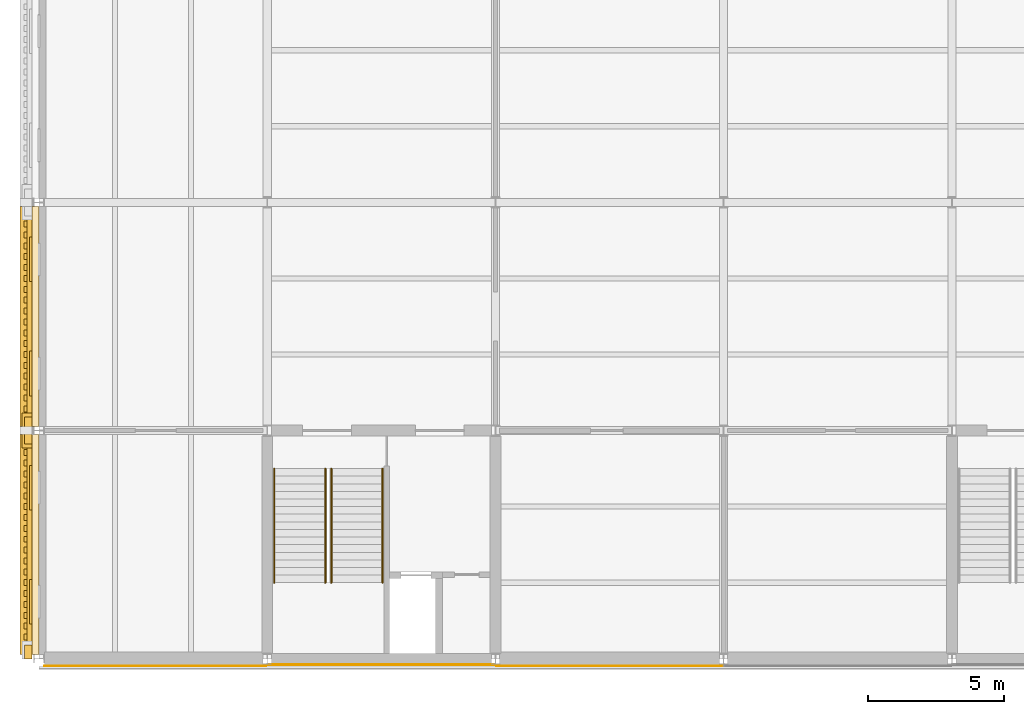
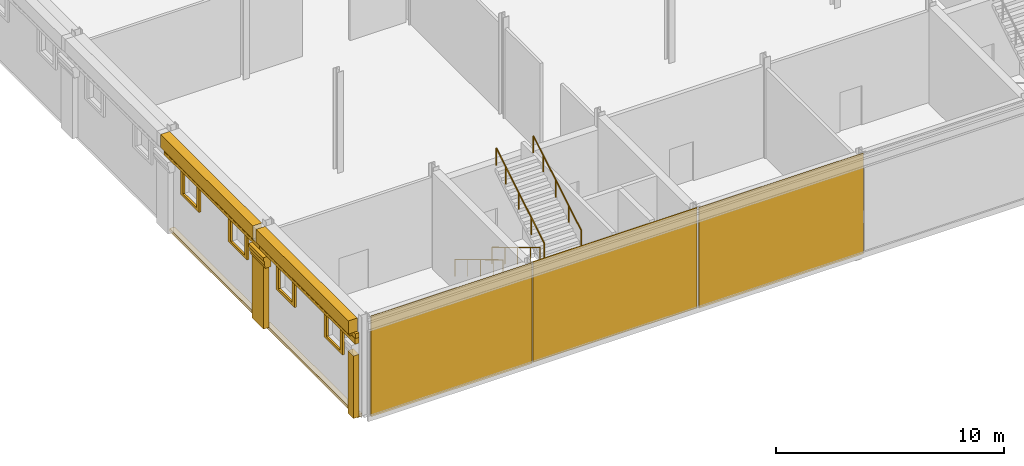
# One storey, part 38 of 57: 18 coverings, 4 railings.
"""IFC4 building model written with IfcOpenShell, lengths in metres."""

import ifcopenshell
import ifcopenshell.guid

model = None  # the IFC model being written
_history = None  # IfcOwnerHistory: only IFC2X3 demands one
_inside = {}  # id of a spatial element -> (the spatial element, [elements in it])
_under = {}  # id of a project, library or spatial element -> (it, [spatial elements below it])
_declared = {}  # id of a project -> (the project, [libraries it declares])
_typed = {}  # id of a type object -> (the type object, [elements of that type])
_made_of = {}  # id of a material, layer set ... -> (it, [elements and type objects made of it])


def new_model(schema):
    """Start an empty IFC model of exactly this schema.

    Asked for "IFC4X3", IfcOpenShell would pick the latest addendum, in which some entities
    have other attributes; the version numbers below select the first issue.
    IFC2X3 requires an IfcOwnerHistory on every rooted entity: one is made here for all.
    """
    global model, _history
    if schema == "IFC4X3":
        model = ifcopenshell.file(schema_version=(4, 3, 0, 0))
    else:
        model = ifcopenshell.file(schema=schema)
    _inside.clear()
    _under.clear()
    _declared.clear()
    _typed.clear()
    _made_of.clear()
    _history = None
    if model.schema == "IFC2X3":
        org = make("IfcOrganization", Name="unknown")
        user = make(
            "IfcPersonAndOrganization",
            ThePerson=make("IfcPerson", FamilyName="unknown"),
            TheOrganization=org,
        )
        app = make(
            "IfcApplication",
            ApplicationDeveloper=org,
            Version="unknown",
            ApplicationFullName="unknown",
            ApplicationIdentifier="unknown",
        )
        _history = make(
            "IfcOwnerHistory",
            OwningUser=user,
            OwningApplication=app,
            ChangeAction="ADDED",
            CreationDate=0,
        )
    return model


def make(cls, **values):
    """One entity of the class cls with the attributes given. An attribute that is None is left unset."""
    return model.create_entity(
        cls, **{name: value for name, value in values.items() if value is not None}
    )


def rooted(cls, **values):
    """An entity with a GlobalId (a new one), such as an element, a storey or a relation."""
    return make(cls, GlobalId=ifcopenshell.guid.new(), OwnerHistory=_history, **values)


def si_unit(unit_type, name, prefix=None):
    """IfcSIUnit, for example si_unit("LENGTHUNIT", "METRE", prefix="MILLI")."""
    return make("IfcSIUnit", UnitType=unit_type, Prefix=prefix, Name=name)


def assignment(units):
    """IfcUnitAssignment: the units of a project."""
    return None if units is None else make("IfcUnitAssignment", Units=units)


def point(xyz):
    """IfcCartesianPoint."""
    return None if xyz is None else make("IfcCartesianPoint", Coordinates=xyz)


def direction(xyz):
    """IfcDirection."""
    return None if xyz is None else make("IfcDirection", DirectionRatios=xyz)


def frame(location, z_axis=None, x_axis=None):
    """IfcAxis2Placement3D, a coordinate frame: its origin and axes. An axis left out is left unset."""
    return make(
        "IfcAxis2Placement3D",
        Location=point(location),
        Axis=direction(z_axis),
        RefDirection=direction(x_axis),
    )


def frame_2d(location, x_axis=None):
    """IfcAxis2Placement2D, a coordinate frame in the plane: its origin and x axis."""
    return make(
        "IfcAxis2Placement2D", Location=point(location), RefDirection=direction(x_axis)
    )


def origin():
    """The frame at (0, 0, 0) with its axes left unset."""
    return frame((0.0, 0.0, 0.0))


def origin_2d():
    """The frame at (0, 0) in the plane with its x axis left unset."""
    return frame_2d((0.0, 0.0))


def place(relative_to, where):
    """IfcLocalPlacement: puts the frame where relative to a parent placement (None: the world)."""
    return make(
        "IfcLocalPlacement", PlacementRelTo=relative_to, RelativePlacement=where
    )


def context(
    kind, dimensions, precision=None, world=None, true_north=None, identifier=None
):
    """IfcGeometricRepresentationContext, for example the 3D "Model" context."""
    return make(
        "IfcGeometricRepresentationContext",
        ContextIdentifier=identifier,
        ContextType=kind,
        CoordinateSpaceDimension=dimensions,
        Precision=precision,
        WorldCoordinateSystem=world,
        TrueNorth=true_north,
    )


def subcontext(parent, identifier, kind, view, scale=None):
    """IfcGeometricRepresentationSubContext, for example "Body" below "Model"."""
    return make(
        "IfcGeometricRepresentationSubContext",
        ContextIdentifier=identifier,
        ContextType=kind,
        ParentContext=parent,
        TargetScale=scale,
        TargetView=view,
    )


def project(units=None, contexts=None):
    """IfcProject with its units and contexts."""
    return rooted(
        "IfcProject",
        Name="project",
        RepresentationContexts=contexts,
        UnitsInContext=assignment(units),
    )


def spatial(cls, under=None, at=None, **own):
    """A site, building, storey or space (cls), placed at a placement, below another one or the project."""
    s = rooted(cls, ObjectPlacement=at, **own)
    if under is not None:
        _under.setdefault(under.id(), (under, []))[1].append(s)
    return s


def polyline(points):
    """IfcPolyline through the points."""
    return make("IfcPolyline", Points=[point(p) for p in points])


def profile(cls, at=None, kind="AREA", **sizes):
    """A parametric profile (cls). Its sizes go by their IFC names, for example OverallWidth=200.0."""
    return make(cls, ProfileType=kind, Position=at, **sizes)


def rectangle(**sizes):
    """IfcRectangleProfileDef."""
    return profile("IfcRectangleProfileDef", **sizes)


def circle(**sizes):
    """IfcCircleProfileDef."""
    return profile("IfcCircleProfileDef", **sizes)


def outline(outer, holes=None, kind="AREA"):
    """IfcArbitraryClosedProfileDef: a profile drawn as a closed curve; with holes, ...WithVoids."""
    if holes is None:
        return make("IfcArbitraryClosedProfileDef", ProfileType=kind, OuterCurve=outer)
    return make(
        "IfcArbitraryProfileDefWithVoids",
        ProfileType=kind,
        OuterCurve=outer,
        InnerCurves=holes,
    )


def extrude(swept, where, along, depth):
    """IfcExtrudedAreaSolid: the profile swept, set in the frame where, extruded along a direction by depth."""
    return make(
        "IfcExtrudedAreaSolid",
        SweptArea=swept,
        Position=where,
        ExtrudedDirection=direction(along),
        Depth=depth,
    )


def shape(context_of_items, identifier, shape_type, items):
    """IfcShapeRepresentation: the items that make up one representation, for example the "Body"."""
    return make(
        "IfcShapeRepresentation",
        ContextOfItems=context_of_items,
        RepresentationIdentifier=identifier,
        RepresentationType=shape_type,
        Items=items,
    )


def material(Name=None, Category=None):
    """IfcMaterial."""
    return make("IfcMaterial", Name=Name, Category=Category)


def layer(
    of_material, thickness, ventilated=None, Name=None, Category=None, Priority=None
):
    """IfcMaterialLayer: one layer of a wall or slab, of a material (None: an air gap)."""
    return make(
        "IfcMaterialLayer",
        Material=of_material,
        LayerThickness=thickness,
        IsVentilated=ventilated,
        Name=Name,
        Category=Category,
        Priority=Priority,
    )


def layer_set(layers, Name=None):
    """IfcMaterialLayerSet."""
    return make("IfcMaterialLayerSet", MaterialLayers=layers, LayerSetName=Name)


def made_of(thing, what):
    """Note that an element or type object is made of a material, layer set ...; save() writes the relation."""
    if what is not None:
        _made_of.setdefault(what.id(), (what, []))[1].append(thing)
    return thing


def type_object(cls, material=None, **own):
    """A type object (cls), such as IfcWallType, which elements share."""
    return made_of(rooted(cls, **own), material)


def element(
    cls,
    number,
    at=None,
    inside=None,
    cuts=None,
    type_object=None,
    material=None,
    context=None,
    identifier="Body",
    shape_type=None,
    held_by="IfcProductDefinitionShape",
    body=None,
    shapes=None,
    **own,
):
    """One element of the class cls, such as IfcWall. Its Tag is "e" and its number.

    at: its placement. inside: the storey or other place that contains it. cuts: it is an
    opening in that element (IfcRelVoidsElement). A single representation is given by context,
    identifier, shape_type and body (its items); several are given by shapes. held_by: the class
    of the entity that holds the representations. save() writes the other relations.
    """
    e = rooted(cls, Tag="e%d" % number, ObjectPlacement=at, **own)
    if body is not None:
        shapes = [shape(context, identifier, shape_type, body)]
    if shapes is not None:
        e.Representation = make(held_by, Representations=shapes)
    if inside is not None:
        _inside.setdefault(inside.id(), (inside, []))[1].append(e)
    if cuts is not None:
        rooted(
            "IfcRelVoidsElement", RelatingBuildingElement=cuts, RelatedOpeningElement=e
        )
    if type_object is not None:
        _typed.setdefault(type_object.id(), (type_object, []))[1].append(e)
    return made_of(e, material)


def aggregate(whole, parts):
    """IfcRelAggregates: a whole, such as a stair, and the parts it consists of."""
    return rooted("IfcRelAggregates", RelatingObject=whole, RelatedObjects=parts)


def save(model, path):
    """Write the relations noted so far, then the file.

    IfcRelAggregates (storeys below a building ...), IfcRelContainedInSpatialStructure (elements
    in a storey), IfcRelDefinesByType, IfcRelAssociatesMaterial and IfcRelDeclares: one each for
    every whole, place, type object, material and project.
    """
    for whole, parts in _under.values():
        aggregate(whole, parts)
    for where, things in _inside.values():
        rooted(
            "IfcRelContainedInSpatialStructure",
            RelatedElements=things,
            RelatingStructure=where,
        )
    for kind, things in _typed.values():
        rooted("IfcRelDefinesByType", RelatedObjects=things, RelatingType=kind)
    for what, things in _made_of.values():
        rooted("IfcRelAssociatesMaterial", RelatedObjects=things, RelatingMaterial=what)
    for by, libraries in _declared.values():
        rooted("IfcRelDeclares", RelatingContext=by, RelatedDefinitions=libraries)
    model.write(path)


model = new_model("IFC4")

# Units and contexts
model_context = context("Model", 3, precision=1e-05, world=origin(), true_north=direction((0.0, 1.0)))
body_context = subcontext(model_context, "Body", "Model", "MODEL_VIEW")
ifc_project = project(units=[si_unit("LENGTHUNIT", "METRE"), si_unit("AREAUNIT", "SQUARE_METRE"), si_unit("VOLUMEUNIT", "CUBIC_METRE"), si_unit("PLANEANGLEUNIT", "RADIAN"), si_unit("MASSUNIT", "GRAM", prefix="KILO")], contexts=[model_context])

# Site, building, storey
site_placement = place(None, origin())
site = spatial("IfcSite", under=ifc_project, at=site_placement, CompositionType="ELEMENT")
building_placement = place(site_placement, origin())
building = spatial("IfcBuilding", under=site, at=building_placement, Name="Galleria Vessillo Department Store", CompositionType="ELEMENT")
storey_placement = place(building_placement, frame((0.0, 0.0, 25.800048828125)))
storey = spatial("IfcBuildingStorey", under=building, at=storey_placement, Name="L05", CompositionType="ELEMENT", Elevation=25.800048828125)

# Coverings
ifc_material_1 = material(Name="Lime plaster (intonaco) ochre")
ifc_layer_1 = layer(ifc_material_1, 0.030029296875)
ifc_layer_set_1 = layer_set([ifc_layer_1], Name="Lime plaster (intonaco) ochre")
covering_type_1 = type_object("IfcCoveringType", Name="Lime plaster render 30 mm", PredefinedType="CLADDING", material=ifc_layer_set_1)
covering_1_placement = place(storey_placement, frame((4.284912109375, -0.264892578125, 0.0), z_axis=(0.0, 0.0, 1.0), x_axis=(1.0, 0.0, 0.0)))
element("IfcCovering", 1, at=covering_1_placement, inside=storey, type_object=covering_type_1, Name="Wall cladding S-PS-L05-01", PredefinedType="CLADDING", context=body_context, shape_type="SweptSolid", body=[
    extrude(rectangle(XDim=8.170166015625, YDim=0.030029296875, at=origin_2d()), origin(), (0.0, 0.0, 1.0), 5.39990234375),
])
for number, where, z_axis, x_axis, name in (
    (2, (12.599853515625, -0.215087890625, 0.0), (0.0, 0.0, 1.0), (1.0, 0.0, 0.0), "Wall cladding S-CW-PC-SW-PARTY-L05"),
    (3, (21.0, -0.264892578125, 0.0), (0.0, 0.0, 1.0), (1.0, 0.0, 0.0), "Wall cladding S-PS-L05-02"),
):
    element("IfcCovering", number, at=place(storey_placement, frame(where, z_axis=z_axis, x_axis=x_axis)), inside=storey, type_object=covering_type_1, Name=name, PredefinedType="CLADDING", context=body_context, shape_type="SweptSolid", body=[
        extrude(rectangle(XDim=8.340087890625, YDim=0.030029296875, at=origin_2d()), origin(), (0.0, 0.0, 1.0), 5.39990234375),
    ])
ifc_material_2 = material(Name="Botticino limestone ashlar", Category="masonry")
ifc_layer_2 = layer(ifc_material_2, 0.199951171875)
ifc_layer_set_2 = layer_set([ifc_layer_2], Name="Botticino limestone ashlar")
covering_type_2 = type_object("IfcCoveringType", Name="Limestone architrave band 200 x 300", PredefinedType="MOLDING", material=ifc_layer_set_2)
covering_2_placement = place(storey_placement, frame((-0.35009765625, 4.199951171875, 3.94970703125), z_axis=(0.0, 0.0, 1.0), x_axis=(1.0, 0.0, 0.0)))
element("IfcCovering", 4, at=covering_2_placement, inside=storey, type_object=covering_type_2, Name="Architrave band W y=0.0-8.4", PredefinedType="MOLDING", context=body_context, shape_type="SweptSolid", body=[
    extrude(rectangle(XDim=0.199951171875, YDim=8.39990234375, at=origin_2d()), origin(), (0.0, 0.0, 1.0), 0.300048828125),
])
covering_3_placement = place(storey_placement, frame((-0.35009765625, 12.599853515625, 3.94970703125), z_axis=(0.0, 0.0, 1.0), x_axis=(1.0, 0.0, 0.0)))
element("IfcCovering", 5, at=covering_3_placement, inside=storey, type_object=covering_type_2, Name="Architrave band W y=8.4-16.8", PredefinedType="MOLDING", context=body_context, shape_type="SweptSolid", body=[
    extrude(rectangle(XDim=0.199951171875, YDim=8.400146484375, at=origin_2d()), origin(), (0.0, 0.0, 1.0), 0.300048828125),
])
ifc_material_3 = material(Name="Botticino limestone ashlar", Category="masonry")
ifc_layer_3 = layer(ifc_material_3, 0.449951171875)
ifc_layer_set_3 = layer_set([ifc_layer_3], Name="Botticino limestone ashlar")
covering_type_3 = type_object("IfcCoveringType", Name="Limestone cornice 450 x 700", PredefinedType="MOLDING", material=ifc_layer_set_3)
covering_4_placement = place(storey_placement, frame((-0.47509765625, 4.199951171875, 4.5), z_axis=(0.0, 0.0, 1.0), x_axis=(1.0, 0.0, 0.0)))
element("IfcCovering", 6, at=covering_4_placement, inside=storey, type_object=covering_type_3, Name="Cornice SW-L05-01", PredefinedType="MOLDING", context=body_context, shape_type="SweptSolid", body=[
    extrude(rectangle(XDim=0.449951171875, YDim=8.099853515625, at=origin_2d()), origin(), (0.0, 0.0, 1.0), 0.699951171875),
])
covering_5_placement = place(storey_placement, frame((-0.47509765625, 12.60009765625, 4.5), z_axis=(0.0, 0.0, 1.0), x_axis=(1.0, 0.0, 0.0)))
element("IfcCovering", 7, at=covering_5_placement, inside=storey, type_object=covering_type_3, Name="Cornice SW-L05-02", PredefinedType="MOLDING", context=body_context, shape_type="SweptSolid", body=[
    extrude(rectangle(XDim=0.449951171875, YDim=8.10009765625, at=origin_2d()), origin(), (0.0, 0.0, 1.0), 0.699951171875),
])
ifc_material_4 = material(Name="Botticino limestone ashlar", Category="masonry")
ifc_layer_4 = layer(ifc_material_4, 0.300048828125)
ifc_layer_set_4 = layer_set([ifc_layer_4], Name="Botticino limestone ashlar")
covering_type_4 = type_object("IfcCoveringType", Name="Limestone dentil course 300 x 250", PredefinedType="MOLDING", material=ifc_layer_set_4)
covering_6_placement = place(storey_placement, frame((0.0, 0.0, 4.25)))
element("IfcCovering", 8, at=covering_6_placement, inside=storey, type_object=covering_type_4, Name="Dentil course W y=0.0-8.4", PredefinedType="MOLDING", context=body_context, shape_type="SweptSolid", body=[
    extrude(outline(polyline([(-0.25, 0.0), (-0.429931640625, 0.0), (-0.429931640625, 0.2900390625), (-0.550048828125, 0.2900390625), (-0.550048828125, 0.510009765625), (-0.429931640625, 0.510009765625), (-0.429931640625, 0.68994140625), (-0.550048828125, 0.68994140625), (-0.550048828125, 0.909912109375), (-0.429931640625, 0.909912109375), (-0.429931640625, 1.090087890625), (-0.550048828125, 1.090087890625), (-0.550048828125, 1.31005859375), (-0.429931640625, 1.31005859375), (-0.429931640625, 1.489990234375), (-0.550048828125, 1.489990234375), (-0.550048828125, 1.7099609375), (-0.429931640625, 1.7099609375), (-0.429931640625, 1.889892578125), (-0.550048828125, 1.889892578125), (-0.550048828125, 2.110107421875), (-0.429931640625, 2.110107421875), (-0.429931640625, 2.2900390625), (-0.550048828125, 2.2900390625), (-0.550048828125, 2.510009765625), (-0.429931640625, 2.510009765625), (-0.429931640625, 2.68994140625), (-0.550048828125, 2.68994140625), (-0.550048828125, 2.909912109375), (-0.429931640625, 2.909912109375), (-0.429931640625, 3.090087890625), (-0.550048828125, 3.090087890625), (-0.550048828125, 3.31005859375), (-0.429931640625, 3.31005859375), (-0.429931640625, 3.489990234375), (-0.550048828125, 3.489990234375), (-0.550048828125, 3.7099609375), (-0.429931640625, 3.7099609375), (-0.429931640625, 3.889892578125), (-0.550048828125, 3.889892578125), (-0.550048828125, 4.110107421875), (-0.429931640625, 4.110107421875), (-0.429931640625, 4.2900390625), (-0.550048828125, 4.2900390625), (-0.550048828125, 4.510009765625), (-0.429931640625, 4.510009765625), (-0.429931640625, 4.68994140625), (-0.550048828125, 4.68994140625), (-0.550048828125, 4.909912109375), (-0.429931640625, 4.909912109375), (-0.429931640625, 5.090087890625), (-0.550048828125, 5.090087890625), (-0.550048828125, 5.31005859375), (-0.429931640625, 5.31005859375), (-0.429931640625, 5.489990234375), (-0.550048828125, 5.489990234375), (-0.550048828125, 5.7099609375), (-0.429931640625, 5.7099609375), (-0.429931640625, 5.889892578125), (-0.550048828125, 5.889892578125), (-0.550048828125, 6.110107421875), (-0.429931640625, 6.110107421875), (-0.429931640625, 6.2900390625), (-0.550048828125, 6.2900390625), (-0.550048828125, 6.510009765625), (-0.429931640625, 6.510009765625), (-0.429931640625, 6.68994140625), (-0.550048828125, 6.68994140625), (-0.550048828125, 6.909912109375), (-0.429931640625, 6.909912109375), (-0.429931640625, 7.090087890625), (-0.550048828125, 7.090087890625), (-0.550048828125, 7.31005859375), (-0.429931640625, 7.31005859375), (-0.429931640625, 7.489990234375), (-0.550048828125, 7.489990234375), (-0.550048828125, 7.7099609375), (-0.429931640625, 7.7099609375), (-0.429931640625, 7.889892578125), (-0.550048828125, 7.889892578125), (-0.550048828125, 8.110107421875), (-0.429931640625, 8.110107421875), (-0.429931640625, 8.39990234375), (-0.25, 8.39990234375), (-0.25, 0.0)])), origin(), (0.0, 0.0, 1.0), 0.25),
])
covering_7_placement = place(storey_placement, frame((0.0, 0.0, 4.25)))
element("IfcCovering", 9, at=covering_7_placement, inside=storey, type_object=covering_type_4, Name="Dentil course W y=8.4-16.8", PredefinedType="MOLDING", context=body_context, shape_type="SweptSolid", body=[
    extrude(outline(polyline([(-0.25, 8.39990234375), (-0.429931640625, 8.39990234375), (-0.429931640625, 8.68994140625), (-0.550048828125, 8.68994140625), (-0.550048828125, 8.909912109375), (-0.429931640625, 8.909912109375), (-0.429931640625, 9.08984375), (-0.550048828125, 9.08984375), (-0.550048828125, 9.31005859375), (-0.429931640625, 9.31005859375), (-0.429931640625, 9.489990234375), (-0.550048828125, 9.489990234375), (-0.550048828125, 9.7099609375), (-0.429931640625, 9.7099609375), (-0.429931640625, 9.889892578125), (-0.550048828125, 9.889892578125), (-0.550048828125, 10.10986328125), (-0.429931640625, 10.10986328125), (-0.429931640625, 10.289794921875), (-0.550048828125, 10.289794921875), (-0.550048828125, 10.510009765625), (-0.429931640625, 10.510009765625), (-0.429931640625, 10.68994140625), (-0.550048828125, 10.68994140625), (-0.550048828125, 10.909912109375), (-0.429931640625, 10.909912109375), (-0.429931640625, 11.08984375), (-0.550048828125, 11.08984375), (-0.550048828125, 11.31005859375), (-0.429931640625, 11.31005859375), (-0.429931640625, 11.489990234375), (-0.550048828125, 11.489990234375), (-0.550048828125, 11.7099609375), (-0.429931640625, 11.7099609375), (-0.429931640625, 11.889892578125), (-0.550048828125, 11.889892578125), (-0.550048828125, 12.10986328125), (-0.429931640625, 12.10986328125), (-0.429931640625, 12.289794921875), (-0.550048828125, 12.289794921875), (-0.550048828125, 12.510009765625), (-0.429931640625, 12.510009765625), (-0.429931640625, 12.68994140625), (-0.550048828125, 12.68994140625), (-0.550048828125, 12.909912109375), (-0.429931640625, 12.909912109375), (-0.429931640625, 13.08984375), (-0.550048828125, 13.08984375), (-0.550048828125, 13.31005859375), (-0.429931640625, 13.31005859375), (-0.429931640625, 13.489990234375), (-0.550048828125, 13.489990234375), (-0.550048828125, 13.7099609375), (-0.429931640625, 13.7099609375), (-0.429931640625, 13.889892578125), (-0.550048828125, 13.889892578125), (-0.550048828125, 14.10986328125), (-0.429931640625, 14.10986328125), (-0.429931640625, 14.2900390625), (-0.550048828125, 14.2900390625), (-0.550048828125, 14.510009765625), (-0.429931640625, 14.510009765625), (-0.429931640625, 14.68994140625), (-0.550048828125, 14.68994140625), (-0.550048828125, 14.909912109375), (-0.429931640625, 14.909912109375), (-0.429931640625, 15.08984375), (-0.550048828125, 15.08984375), (-0.550048828125, 15.31005859375), (-0.429931640625, 15.31005859375), (-0.429931640625, 15.489990234375), (-0.550048828125, 15.489990234375), (-0.550048828125, 15.7099609375), (-0.429931640625, 15.7099609375), (-0.429931640625, 15.889892578125), (-0.550048828125, 15.889892578125), (-0.550048828125, 16.10986328125), (-0.429931640625, 16.10986328125), (-0.429931640625, 16.2900390625), (-0.550048828125, 16.2900390625), (-0.550048828125, 16.510009765625), (-0.429931640625, 16.510009765625), (-0.429931640625, 16.800048828125), (-0.25, 16.800048828125), (-0.25, 8.39990234375)])), origin(), (0.0, 0.0, 1.0), 0.25),
])
ifc_material_5 = material(Name="Botticino limestone ashlar", Category="masonry")
ifc_layer_5 = layer(ifc_material_5, 0.280029296875)
ifc_layer_set_5 = layer_set([ifc_layer_5], Name="Botticino limestone ashlar")
covering_type_5 = type_object("IfcCoveringType", Name="Limestone giant pilaster 1000 x 280", PredefinedType="CLADDING", material=ifc_layer_set_5)
covering_8_placement = place(storey_placement, frame((-0.389892578125, 0.25, 0.0), z_axis=(0.0, 0.0, 1.0), x_axis=(1.0, 0.0, 0.0)))
element("IfcCovering", 10, at=covering_8_placement, inside=storey, type_object=covering_type_5, Name="Giant pilaster W L05 y=0.0", PredefinedType="CLADDING", context=body_context, shape_type="SweptSolid", body=[
    extrude(rectangle(XDim=0.280029296875, YDim=0.5, at=origin_2d()), origin(), (0.0, 0.0, 1.0), 3.35009765625),
])
covering_9_placement = place(storey_placement, frame((-0.389892578125, 8.39990234375, 0.0), z_axis=(0.0, 0.0, 1.0), x_axis=(1.0, 0.0, 0.0)))
element("IfcCovering", 11, at=covering_9_placement, inside=storey, type_object=covering_type_5, Name="Giant pilaster W L05 y=8.4", PredefinedType="CLADDING", context=body_context, shape_type="SweptSolid", body=[
    extrude(rectangle(XDim=0.280029296875, YDim=1.0, at=origin_2d()), origin(), (0.0, 0.0, 1.0), 3.35009765625),
])
ifc_material_6 = material(Name="Botticino limestone ashlar", Category="masonry")
ifc_layer_6 = layer(ifc_material_6, 0.3798828125)
ifc_layer_set_6 = layer_set([ifc_layer_6], Name="Botticino limestone ashlar")
covering_type_6 = type_object("IfcCoveringType", Name="Limestone pilaster capital 1300 x 380 x 600", PredefinedType="MOLDING", material=ifc_layer_set_6)
covering_10_placement = place(storey_placement, frame((0.0, 7.75, 3.349853515625), z_axis=(0.0, 1.0, 0.0), x_axis=(-1.0, 0.0, 0.0)))
element("IfcCovering", 12, at=covering_10_placement, inside=storey, type_object=covering_type_6, Name="Pilaster capital W y=8.4", PredefinedType="MOLDING", context=body_context, shape_type="SweptSolid", body=[
    extrude(outline(polyline([(0.25, 0.0), (0.530029296875, 0.0), (0.530029296875, 0.10009765625), (0.580078125, 0.179931640625), (0.580078125, 0.3798828125), (0.6298828125, 0.419921875), (0.6298828125, 0.60009765625), (0.25, 0.60009765625), (0.25, 0.0)])), origin(), (0.0, 0.0, 1.0), 1.300048828125),
])
ifc_material_7 = material(Name="Botticino limestone ashlar", Category="masonry")
ifc_layer_7 = layer(ifc_material_7, 0.14990234375)
ifc_layer_set_7 = layer_set([ifc_layer_7], Name="Botticino limestone ashlar")
covering_type_7 = type_object("IfcCoveringType", Name="Limestone slab-edge fascia 150 mm", PredefinedType="CLADDING", material=ifc_layer_set_7)
covering_11_placement = place(storey_placement, frame((-0.125, 4.199951171875, -0.14990234375), z_axis=(0.0, 0.0, 1.0), x_axis=(1.0, 0.0, 0.0)))
element("IfcCovering", 13, at=covering_11_placement, inside=storey, type_object=covering_type_7, Name="Slab-edge fascia SW-L04-01", PredefinedType="CLADDING", context=body_context, shape_type="SweptSolid", body=[
    extrude(rectangle(XDim=0.25, YDim=8.099853515625, at=origin_2d()), origin(), (0.0, 0.0, 1.0), 0.14990234375),
])
covering_12_placement = place(storey_placement, frame((-0.125, 12.60009765625, -0.14990234375), z_axis=(0.0, 0.0, 1.0), x_axis=(1.0, 0.0, 0.0)))
element("IfcCovering", 14, at=covering_12_placement, inside=storey, type_object=covering_type_7, Name="Slab-edge fascia SW-L04-02", PredefinedType="CLADDING", context=body_context, shape_type="SweptSolid", body=[
    extrude(rectangle(XDim=0.25, YDim=8.10009765625, at=origin_2d()), origin(), (0.0, 0.0, 1.0), 0.14990234375),
])
ifc_material_8 = material(Name="Botticino limestone ashlar", Category="masonry")
ifc_layer_8 = layer(ifc_material_8, 0.10009765625)
ifc_layer_set_8 = layer_set([ifc_layer_8], Name="Botticino limestone ashlar")
covering_type_8 = type_object("IfcCoveringType", Name="Limestone window surround 100 mm", PredefinedType="CLADDING", material=ifc_layer_set_8)
covering_13_placement = place(storey_placement, frame((-0.25, 0.0, 2.699951171875), z_axis=(-1.0, 0.0, 0.0), x_axis=(0.0, -1.0, 0.0)))
element("IfcCovering", 15, at=covering_13_placement, inside=storey, type_object=covering_type_8, Name="Window surround W065", PredefinedType="CLADDING", context=body_context, shape_type="SweptSolid", body=[
    extrude(outline(polyline([(-1.280029296875, 1.25), (-2.919921875, 1.25), (-2.919921875, -0.139892578125), (-1.280029296875, -0.139892578125), (-1.280029296875, 1.25)]), holes=[polyline([(-1.5, 1.199951171875), (-2.699951171875, 1.199951171875), (-2.699951171875, 0.0), (-1.5, 0.0), (-1.5, 1.199951171875)])]), origin(), (0.0, 0.0, 1.0), 0.10009765625),
])
covering_14_placement = place(storey_placement, frame((-0.25, 0.0, 2.699951171875), z_axis=(-1.0, 0.0, 0.0), x_axis=(0.0, -1.0, 0.0)))
element("IfcCovering", 16, at=covering_14_placement, inside=storey, type_object=covering_type_8, Name="Window surround W066", PredefinedType="CLADDING", context=body_context, shape_type="SweptSolid", body=[
    extrude(outline(polyline([(-5.47998046875, 1.25), (-7.1201171875, 1.25), (-7.1201171875, -0.139892578125), (-5.47998046875, -0.139892578125), (-5.47998046875, 1.25)]), holes=[polyline([(-5.699951171875, 1.199951171875), (-6.89990234375, 1.199951171875), (-6.89990234375, 0.0), (-5.699951171875, 0.0), (-5.699951171875, 1.199951171875)])]), origin(), (0.0, 0.0, 1.0), 0.10009765625),
])
covering_15_placement = place(storey_placement, frame((-0.25, 0.0, 2.699951171875), z_axis=(-1.0, 0.0, 0.0), x_axis=(0.0, -1.0, 0.0)))
element("IfcCovering", 17, at=covering_15_placement, inside=storey, type_object=covering_type_8, Name="Window surround W067", PredefinedType="CLADDING", context=body_context, shape_type="SweptSolid", body=[
    extrude(outline(polyline([(-9.679931640625, 1.25), (-11.31982421875, 1.25), (-11.31982421875, -0.139892578125), (-9.679931640625, -0.139892578125), (-9.679931640625, 1.25)]), holes=[polyline([(-9.89990234375, 1.199951171875), (-11.099853515625, 1.199951171875), (-11.099853515625, 0.0), (-9.89990234375, 0.0), (-9.89990234375, 1.199951171875)])]), origin(), (0.0, 0.0, 1.0), 0.10009765625),
])
covering_16_placement = place(storey_placement, frame((-0.25, 0.0, 2.699951171875), z_axis=(-1.0, 0.0, 0.0), x_axis=(0.0, -1.0, 0.0)))
element("IfcCovering", 18, at=covering_16_placement, inside=storey, type_object=covering_type_8, Name="Window surround W068", PredefinedType="CLADDING", context=body_context, shape_type="SweptSolid", body=[
    extrude(outline(polyline([(-13.880126953125, 1.25), (-15.52001953125, 1.25), (-15.52001953125, -0.139892578125), (-13.880126953125, -0.139892578125), (-13.880126953125, 1.25)]), holes=[polyline([(-14.10009765625, 1.199951171875), (-15.300048828125, 1.199951171875), (-15.300048828125, 0.0), (-14.10009765625, 0.0), (-14.10009765625, 1.199951171875)])]), origin(), (0.0, 0.0, 1.0), 0.10009765625),
])

# Railings
ifc_material_9 = material(Name="Stainless steel tube", Category="steel")
railing_type = type_object("IfcRailingType", Name="Stair handrail steel tube 48 mm", PredefinedType="HANDRAIL", material=ifc_material_9)
for number, where, name in (
    (19, (10.5400390625, 7.0, 0.168701171875), "Handrail ST1 L05 flight 1A"),
    (20, (8.66015625, 7.0, 0.168701171875), "Handrail ST1 L05 flight 1B"),
):
    element("IfcRailing", number, at=place(storey_placement, frame(where)), inside=storey, type_object=railing_type, Name=name, PredefinedType="HANDRAIL", context=body_context, shape_type="SweptSolid", body=[
        extrude(circle(Radius=0.02392578125, at=origin_2d()), frame((0.0, 0.0, 0.89599609375), z_axis=(0.0, -0.856486514401, 0.516169401116), x_axis=(1.0, 0.0, 0.0)), (0.0, 0.0, 1.0), 1.307861328125),
        extrude(circle(Radius=0.02392578125, at=origin_2d()), frame((0.0, -1.1201171875, 1.57080078125), z_axis=(0.0, -0.856436765236, 0.516251941548), x_axis=(1.0, 0.0, 0.0)), (0.0, 0.0, 1.0), 1.3076171875),
        extrude(circle(Radius=0.02392578125, at=origin_2d()), frame((0.0, -2.239990234375, 2.24609375), z_axis=(0.0, -0.856486514401, 0.516169401116), x_axis=(1.0, 0.0, 0.0)), (0.0, 0.0, 1.0), 1.307861328125),
        extrude(circle(Radius=0.02392578125, at=origin_2d()), frame((0.0, -3.360107421875, 2.9208984375), z_axis=(0.0, -0.856502732318, 0.516142489563), x_axis=(1.0, 0.0, 0.0)), (0.0, 0.0, 1.0), 0.98046875),
        extrude(circle(Radius=0.02099609375, at=origin_2d()), origin(), (0.0, 0.0, 1.0), 0.871826171875),
        extrude(circle(Radius=0.02099609375, at=origin_2d()), frame((0.0, -1.1201171875, 0.675048828125)), (0.0, 0.0, 1.0), 0.871826171875),
        extrude(circle(Radius=0.02099609375, at=origin_2d()), frame((0.0, -2.239990234375, 1.35009765625)), (0.0, 0.0, 1.0), 0.871826171875),
        extrude(circle(Radius=0.02099609375, at=origin_2d()), frame((0.0, -3.360107421875, 2.025146484375)), (0.0, 0.0, 1.0), 0.871826171875),
        extrude(circle(Radius=0.02099609375, at=origin_2d()), frame((0.0, -4.199951171875, 2.53125)), (0.0, 0.0, 1.0), 0.871826171875),
    ])
for number, where, name in (
    (21, (10.760009765625, 2.800048828125, 2.86865234375), "Handrail ST1 L05 flight 2A"),
    (22, (12.639892578125, 2.800048828125, 2.86865234375), "Handrail ST1 L05 flight 2B"),
):
    element("IfcRailing", number, at=place(storey_placement, frame(where)), inside=storey, type_object=railing_type, Name=name, PredefinedType="HANDRAIL", context=body_context, shape_type="SweptSolid", body=[
        extrude(circle(Radius=0.02392578125, at=origin_2d()), frame((0.0, 0.0, 0.89599609375), z_axis=(0.0, 0.856486514401, 0.516169401116), x_axis=(-1.0, 0.0, 0.0)), (0.0, 0.0, 1.0), 1.307861328125),
        extrude(circle(Radius=0.02392578125, at=origin_2d()), frame((0.0, 1.1201171875, 1.57080078125), z_axis=(0.0, 0.856436765236, 0.516251941548), x_axis=(-1.0, 0.0, 0.0)), (0.0, 0.0, 1.0), 1.3076171875),
        extrude(circle(Radius=0.02392578125, at=origin_2d()), frame((0.0, 2.239990234375, 2.24609375), z_axis=(0.0, 0.856486514401, 0.516169401116), x_axis=(-1.0, 0.0, 0.0)), (0.0, 0.0, 1.0), 1.307861328125),
        extrude(circle(Radius=0.02392578125, at=origin_2d()), frame((0.0, 3.360107421875, 2.9208984375), z_axis=(0.0, 0.856502732318, 0.516142489563), x_axis=(-1.0, 0.0, 0.0)), (0.0, 0.0, 1.0), 0.98046875),
        extrude(circle(Radius=0.02099609375, at=origin_2d()), origin(), (0.0, 0.0, 1.0), 0.871826171875),
        extrude(circle(Radius=0.02099609375, at=origin_2d()), frame((0.0, 1.1201171875, 0.675048828125)), (0.0, 0.0, 1.0), 0.871826171875),
        extrude(circle(Radius=0.02099609375, at=origin_2d()), frame((0.0, 2.239990234375, 1.35009765625)), (0.0, 0.0, 1.0), 0.871826171875),
        extrude(circle(Radius=0.02099609375, at=origin_2d()), frame((0.0, 3.360107421875, 2.025146484375)), (0.0, 0.0, 1.0), 0.871826171875),
        extrude(circle(Radius=0.02099609375, at=origin_2d()), frame((0.0, 4.199951171875, 2.53125)), (0.0, 0.0, 1.0), 0.871826171875),
    ])

save(model, "model.ifc")
